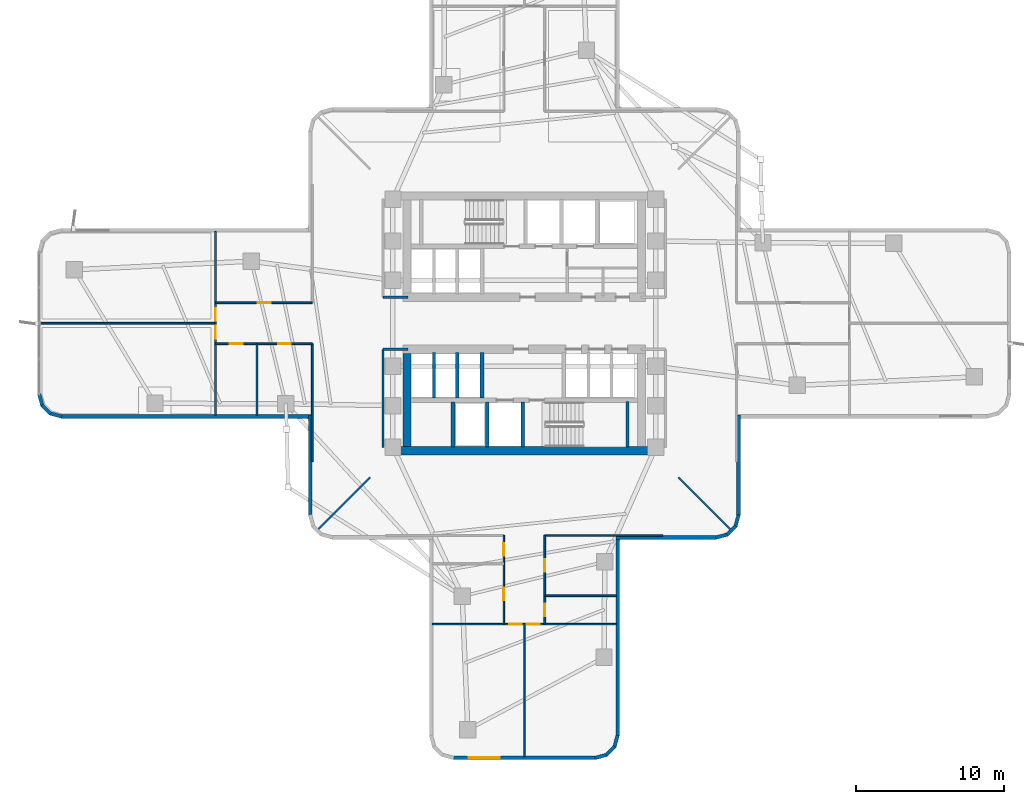
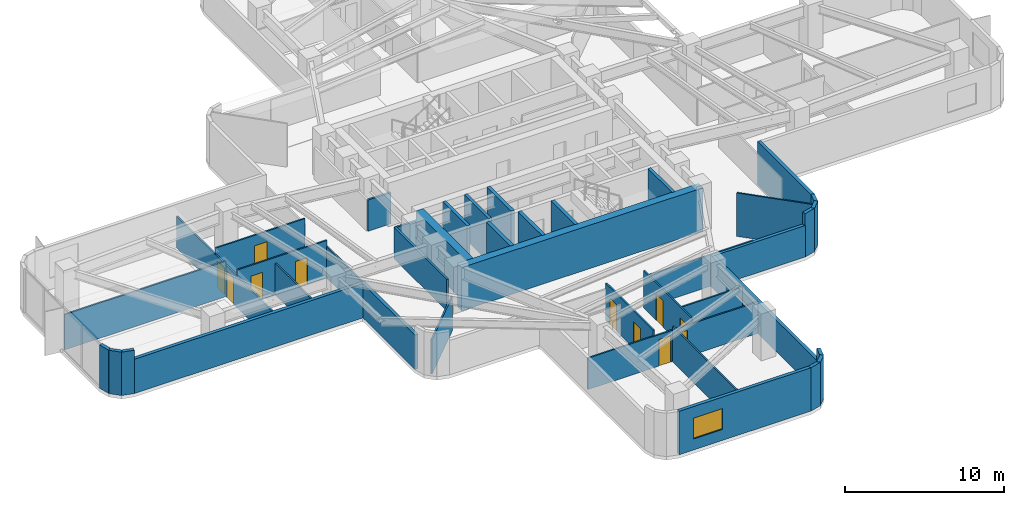
# One storey, part 8 of 14: 41 walls, 11 doors, 1 window, 12 openings.
"""IFC4 building model written with IfcOpenShell, lengths in metres."""

from ifc_helpers import new_model, si_unit, direction, frame, frame_2d, origin, place, context, subcontext, project, spatial, rectangle, extrude, material, layer, layer_set, type_object, element, fill, save


model = new_model("IFC4")

# Units and contexts
model_context = context("Model", 3, precision=1e-05, world=origin(), true_north=direction((0.0, 1.0)))
body_context = subcontext(model_context, "Body", "Model", "MODEL_VIEW")
ifc_project = project(units=[si_unit("LENGTHUNIT", "METRE"), si_unit("AREAUNIT", "SQUARE_METRE"), si_unit("VOLUMEUNIT", "CUBIC_METRE"), si_unit("PLANEANGLEUNIT", "RADIAN"), si_unit("MASSUNIT", "GRAM", prefix="KILO")], contexts=[model_context])

# Site, building, storey
site_placement = place(None, origin())
site = spatial("IfcSite", under=ifc_project, at=site_placement, CompositionType="ELEMENT")
building_placement = place(site_placement, origin())
building = spatial("IfcBuilding", under=site, at=building_placement, Name="Solmarez Civic Tower", CompositionType="ELEMENT")
storey_placement = place(building_placement, frame((0.0, 0.0, 31.679931640625)))
storey = spatial("IfcBuildingStorey", under=building, at=storey_placement, Name="L07", CompositionType="ELEMENT", Elevation=31.679931640625)

# Walls
ifc_material_1 = material(Name="Concrete C60/75", Category="concrete")
ifc_layer_1 = layer(ifc_material_1, 0.550048828125)
ifc_layer_set_1 = layer_set([ifc_layer_1], Name="Concrete C60/75")
wall_type_1 = type_object("IfcWallType", Name="WALL-CORE-550", PredefinedType="SHEAR", material=ifc_layer_set_1)
wall_1_placement = place(storey_placement, frame((8.780029296875, -8.5849609375, 0.0), z_axis=(0.0, 0.0, 1.0), x_axis=(-1.0, 0.0, 0.0)))
element("IfcWall", 1, at=wall_1_placement, inside=storey, type_object=wall_type_1, Name="L07 Split-Core Structural Wall SCW-S-L07", PredefinedType="SHEAR", context=body_context, shape_type="SweptSolid", body=[
    extrude(rectangle(XDim=17.56005859375, YDim=0.550048828125, at=frame_2d((8.780029296875, 0.0))), origin(), (0.0, 0.0, 1.0), 3.340087890625),
])
wall_2_placement = place(storey_placement, frame((-7.89501953125, -8.31005859375, 0.0), z_axis=(0.0, 0.0, 1.0), x_axis=(0.0, 1.0, 0.0)))
element("IfcWall", 2, at=wall_2_placement, inside=storey, type_object=wall_type_1, Name="L07 Split-Core Structural Wall SCW-W-L07", PredefinedType="SHEAR", context=body_context, shape_type="SweptSolid", body=[
    extrude(rectangle(XDim=6.28515625, YDim=0.550048828125, at=frame_2d((3.142578125, 0.0))), origin(), (0.0, 0.0, 1.0), 3.340087890625),
])
ifc_material_2 = material(Name="Precast concrete C40/50", Category="concrete")
ifc_layer_2 = layer(ifc_material_2, 0.239990234375)
ifc_layer_set_2 = layer_set([ifc_layer_2], Name="Precast concrete C40/50")
wall_type_2 = type_object("IfcWallType", Name="WALL-EXT-240", PredefinedType="SOLIDWALL", material=ifc_layer_set_2)
wall_3_placement = place(storey_placement, frame((-14.333984375, -6.280029296875, 0.0), z_axis=(0.0, 0.0, 1.0), x_axis=(-1.0, 0.0, 0.0)))
element("IfcWall", 3, at=wall_3_placement, inside=storey, type_object=wall_type_2, Name="L07 Exterior Precast Wall 2", PredefinedType="SOLIDWALL", context=body_context, shape_type="SweptSolid", body=[
    extrude(rectangle(XDim=16.875, YDim=0.239990234375, at=frame_2d((8.4375, 0.0))), origin(), (0.0, 0.0, 1.0), 2.64404296875),
])
wall_4_placement = place(storey_placement, frame((-31.159912109375, -6.285888671875, 0.0), z_axis=(0.0, 0.0, 1.0), x_axis=(-0.966234939601, 0.25766265056, 0.0)))
element("IfcWall", 4, at=wall_4_placement, inside=storey, type_object=wall_type_2, Name="L07 Exterior Precast Wall 3", PredefinedType="SOLIDWALL", context=body_context, shape_type="SweptSolid", body=[
    extrude(rectangle(XDim=0.830078125, YDim=0.239990234375, at=frame_2d((0.4150390625, 0.0))), origin(), (0.0, 0.0, 1.0), 3.340087890625),
])
wall_5_placement = place(storey_placement, frame((-31.919921875, -6.095947265625, 0.0), z_axis=(0.0, 0.0, 1.0), x_axis=(-0.707256607812, 0.706956922808, 0.0)))
element("IfcWall", 5, at=wall_5_placement, inside=storey, type_object=wall_type_2, Name="L07 Exterior Precast Wall 4", PredefinedType="SOLIDWALL", context=body_context, shape_type="SweptSolid", body=[
    extrude(rectangle(XDim=0.814697265625, YDim=0.239990234375, at=frame_2d((0.4072265625, 0.0))), origin(), (0.0, 0.0, 1.0), 3.340087890625),
])
wall_6_placement = place(storey_placement, frame((-32.471923828125, -5.56201171875, 0.0), z_axis=(0.0, 0.0, 1.0), x_axis=(-0.257937227116, 0.966161677396, 0.0)))
element("IfcWall", 6, at=wall_6_placement, inside=storey, type_object=wall_type_2, Name="L07 Exterior Precast Wall 5", PredefinedType="SOLIDWALL", context=body_context, shape_type="SweptSolid", body=[
    extrude(rectangle(XDim=0.830078125, YDim=0.239990234375, at=frame_2d((0.4150390625, 0.0))), origin(), (0.0, 0.0, 1.0), 3.340087890625),
])
wall_7_placement = place(storey_placement, frame((14.429931640625, -6.18408203125, 0.0), z_axis=(0.0, 0.0, 1.0), x_axis=(0.0, -1.0, 0.0)))
element("IfcWall", 7, at=wall_7_placement, inside=storey, type_object=wall_type_2, Name="L07 Exterior Precast Wall 49", PredefinedType="SOLIDWALL", context=body_context, shape_type="SweptSolid", body=[
    extrude(rectangle(XDim=6.77490234375, YDim=0.239990234375, at=frame_2d((3.387451171875, 0.0))), origin(), (0.0, 0.0, 1.0), 3.340087890625),
])
wall_8_placement = place(storey_placement, frame((14.43603515625, -12.909912109375, 0.0), z_axis=(0.0, 0.0, 1.0), x_axis=(-0.257937227116, -0.966161677396, 0.0)))
element("IfcWall", 8, at=wall_8_placement, inside=storey, type_object=wall_type_2, Name="L07 Exterior Precast Wall 50", PredefinedType="SOLIDWALL", context=body_context, shape_type="SweptSolid", body=[
    extrude(rectangle(XDim=0.830078125, YDim=0.239990234375, at=frame_2d((0.4150390625, 0.0))), origin(), (0.0, 0.0, 1.0), 3.340087890625),
])
wall_9_placement = place(storey_placement, frame((14.24609375, -13.669921875, 0.0), z_axis=(0.0, 0.0, 1.0), x_axis=(-0.707106781187, -0.707106781187, 0.0)))
element("IfcWall", 9, at=wall_9_placement, inside=storey, type_object=wall_type_2, Name="L07 Exterior Precast Wall 51", PredefinedType="SOLIDWALL", context=body_context, shape_type="SweptSolid", body=[
    extrude(rectangle(XDim=0.81494140625, YDim=0.239990234375, at=frame_2d((0.407470703125, 0.0))), origin(), (0.0, 0.0, 1.0), 3.340087890625),
])
wall_10_placement = place(storey_placement, frame((13.7119140625, -14.221923828125, 0.0), z_axis=(0.0, 0.0, 1.0), x_axis=(-0.966161677396, -0.257937227116, 0.0)))
element("IfcWall", 10, at=wall_10_placement, inside=storey, type_object=wall_type_2, Name="L07 Exterior Precast Wall 52", PredefinedType="SOLIDWALL", context=body_context, shape_type="SweptSolid", body=[
    extrude(rectangle(XDim=0.830078125, YDim=0.239990234375, at=frame_2d((0.4150390625, 0.0))), origin(), (0.0, 0.0, 1.0), 3.340087890625),
])
wall_11_placement = place(storey_placement, frame((12.958984375, -14.429931640625, 0.0), z_axis=(0.0, 0.0, 1.0), x_axis=(-1.0, 0.0, 0.0)))
element("IfcWall", 11, at=wall_11_placement, inside=storey, type_object=wall_type_2, Name="L07 Exterior Precast Wall 53", PredefinedType="SOLIDWALL", context=body_context, shape_type="SweptSolid", body=[
    extrude(rectangle(XDim=6.77490234375, YDim=0.239990234375, at=frame_2d((3.387451171875, 0.0))), origin(), (0.0, 0.0, 1.0), 2.421142578125),
])
wall_12_placement = place(storey_placement, frame((6.280029296875, -14.333984375, 0.0), z_axis=(0.0, 0.0, 1.0), x_axis=(0.0, -1.0, 0.0)))
element("IfcWall", 12, at=wall_12_placement, inside=storey, type_object=wall_type_2, Name="L07 Exterior Precast Wall 56", PredefinedType="SOLIDWALL", context=body_context, shape_type="SweptSolid", body=[
    extrude(rectangle(XDim=13.47509765625, YDim=0.239990234375, at=frame_2d((6.737548828125, 0.0))), origin(), (0.0, 0.0, 1.0), 2.421142578125),
])
wall_13_placement = place(storey_placement, frame((6.285888671875, -27.760009765625, 0.0), z_axis=(0.0, 0.0, 1.0), x_axis=(-0.25766265056, -0.966234939601, 0.0)))
element("IfcWall", 13, at=wall_13_placement, inside=storey, type_object=wall_type_2, Name="L07 Exterior Precast Wall 57", PredefinedType="SOLIDWALL", context=body_context, shape_type="SweptSolid", body=[
    extrude(rectangle(XDim=0.830078125, YDim=0.239990234375, at=frame_2d((0.4150390625, 0.0))), origin(), (0.0, 0.0, 1.0), 3.340087890625),
])
wall_14_placement = place(storey_placement, frame((6.095947265625, -28.52001953125, 0.0), z_axis=(0.0, 0.0, 1.0), x_axis=(-0.707106781187, -0.707106781187, 0.0)))
element("IfcWall", 14, at=wall_14_placement, inside=storey, type_object=wall_type_2, Name="L07 Exterior Precast Wall 58", PredefinedType="SOLIDWALL", context=body_context, shape_type="SweptSolid", body=[
    extrude(rectangle(XDim=0.814453125, YDim=0.239990234375, at=frame_2d((0.4072265625, 0.0))), origin(), (0.0, 0.0, 1.0), 3.340087890625),
])
wall_15_placement = place(storey_placement, frame((5.56201171875, -29.072021484375, 0.0), z_axis=(0.0, 0.0, 1.0), x_axis=(-0.966234939601, -0.25766265056, 0.0)))
element("IfcWall", 15, at=wall_15_placement, inside=storey, type_object=wall_type_2, Name="L07 Exterior Precast Wall 59", PredefinedType="SOLIDWALL", context=body_context, shape_type="SweptSolid", body=[
    extrude(rectangle(XDim=0.830078125, YDim=0.239990234375, at=frame_2d((0.4150390625, 0.0))), origin(), (0.0, 0.0, 1.0), 3.340087890625),
])

# Wall, opening, window
wall_16_placement = place(storey_placement, frame((4.80908203125, -29.280029296875, 0.0), z_axis=(0.0, 0.0, 1.0), x_axis=(-1.0, 0.0, 0.0)))
wall_16 = element("IfcWall", 16, at=wall_16_placement, inside=storey, type_object=wall_type_2, Name="L07 Exterior Precast Wall 60", PredefinedType="SOLIDWALL", context=body_context, shape_type="SweptSolid", body=[
    extrude(rectangle(XDim=9.6181640625, YDim=0.239990234375, at=frame_2d((4.80908203125, 0.0))), origin(), (0.0, 0.0, 1.0), 3.340087890625),
])
opening_1_placement = place(wall_16_placement, frame((6.451904296875, 0.0, 0.85009765625)))
opening_1 = element("IfcOpeningElement", 17, at=opening_1_placement, cuts=wall_16, Name="Opening W-11", PredefinedType="OPENING", context=body_context, shape_type="SweptSolid", body=[
    extrude(rectangle(XDim=2.10009765625, YDim=1.60009765625, at=frame_2d((1.050048828125, 0.800048828125))), frame((0.0, 0.1298828125, 0.0), z_axis=(0.0, -1.0, 0.0), x_axis=(1.0, 0.0, 0.0)), (0.0, 0.0, 1.0), 0.260009765625),
])
ifc_material_3 = material(Name="Solar Control Bronze-Tinted Insulating Glass", Category="glass")
window_type = type_object("IfcWindowType", Name="WIN-2100X1600", PartitioningType="SINGLE_PANEL", PredefinedType="WINDOW", material=ifc_material_3)
window_placement = place(opening_1_placement, origin())
window = element("IfcWindow", 18, at=window_placement, inside=storey, type_object=window_type, Name="L07 Exterior Facade Window 60", OverallHeight=1.60009765625, OverallWidth=2.10009765625, PartitioningType="SINGLE_PANEL", PredefinedType="WINDOW", context=body_context, shape_type="SweptSolid", body=[
    extrude(rectangle(XDim=2.10009765625, YDim=1.60009765625, at=frame_2d((1.050048828125, 0.800048828125))), frame((0.0, 0.030029296875, 0.0), z_axis=(0.0, -1.0, 0.0), x_axis=(1.0, 0.0, 0.0)), (0.0, 0.0, 1.0), 0.06005859375),
])
fill(opening_1, window)

# Walls
wall_17_placement = place(storey_placement, frame((-14.429931640625, -12.958984375, 0.0), z_axis=(0.0, 0.0, 1.0), x_axis=(0.0, 1.0, 0.0)))
element("IfcWall", 19, at=wall_17_placement, inside=storey, type_object=wall_type_2, Name="L07 Exterior Precast Wall 71", PredefinedType="SOLIDWALL", context=body_context, shape_type="SweptSolid", body=[
    extrude(rectangle(XDim=6.77490234375, YDim=0.239990234375, at=frame_2d((3.387451171875, 0.0))), origin(), (0.0, 0.0, 1.0), 2.64404296875),
])
ifc_material_4 = material(Name="Gypsum Board Acoustic Steel-Stud Partition", Category="steel")
ifc_layer_3 = layer(ifc_material_4, 0.14990234375)
ifc_layer_set_3 = layer_set([ifc_layer_3], Name="Gypsum Board Acoustic Steel-Stud Partition")
wall_type_3 = type_object("IfcWallType", Name="WALL-INT-FIRE-150", PredefinedType="PARTITIONING", material=ifc_layer_set_3)
wall_18_placement = place(storey_placement, frame((-7.85009765625, 1.75, 0.0), z_axis=(0.0, 0.0, 1.0), x_axis=(-1.0, 0.0, 0.0)))
element("IfcWall", 20, at=wall_18_placement, inside=storey, type_object=wall_type_3, Name="L07 Interior Partition CHW-L07-WN3", PredefinedType="PARTITIONING", context=body_context, shape_type="SweptSolid", body=[
    extrude(rectangle(XDim=1.669921875, YDim=0.14990234375, at=frame_2d((0.8349609375, 0.0))), origin(), (0.0, 0.0, 1.0), 2.405029296875),
])
wall_19_placement = place(storey_placement, frame((-9.52001953125, -8.3798828125, 0.0), z_axis=(0.0, 0.0, 1.0), x_axis=(0.0, 1.0, 0.0)))
element("IfcWall", 21, at=wall_19_placement, inside=storey, type_object=wall_type_3, Name="L07 Interior Partition CHW-L07-WS1", PredefinedType="PARTITIONING", context=body_context, shape_type="SweptSolid", body=[
    extrude(rectangle(XDim=6.6298828125, YDim=0.14990234375, at=frame_2d((3.31494140625, 0.0))), origin(), (0.0, 0.0, 1.0), 2.421142578125),
])
wall_20_placement = place(storey_placement, frame((-7.85009765625, -1.75, 0.0), z_axis=(0.0, 0.0, 1.0), x_axis=(-1.0, 0.0, 0.0)))
element("IfcWall", 22, at=wall_20_placement, inside=storey, type_object=wall_type_3, Name="L07 Interior Partition CHW-L07-WS3", PredefinedType="PARTITIONING", context=body_context, shape_type="SweptSolid", body=[
    extrude(rectangle(XDim=1.669921875, YDim=0.14990234375, at=frame_2d((0.8349609375, 0.0))), origin(), (0.0, 0.0, 1.0), 2.405029296875),
])
ifc_layer_4 = layer(ifc_material_4, 0.110107421875)
ifc_layer_set_4 = layer_set([ifc_layer_4], Name="Gypsum Board Acoustic Steel-Stud Partition")
wall_type_4 = type_object("IfcWallType", Name="WALL-INT-PART-110", PredefinedType="PARTITIONING", material=ifc_layer_set_4)
wall_21_placement = place(storey_placement, frame((-10.3798828125, -10.3798828125, 0.0), z_axis=(0.0, 0.0, 1.0), x_axis=(-0.707106781187, -0.707106781187, 0.0)))
element("IfcWall", 23, at=wall_21_placement, inside=storey, type_object=wall_type_4, Name="L07 Interior Partition PT-L07-QDIV-3", PredefinedType="PARTITIONING", context=body_context, shape_type="SweptSolid", body=[
    extrude(rectangle(XDim=4.975341796875, YDim=0.110107421875, at=frame_2d((2.48779296875, 0.0))), origin(), (0.0, 0.0, 1.0), 2.64404296875),
])
wall_22_placement = place(storey_placement, frame((10.3798828125, -10.3798828125, 0.0), z_axis=(0.0, 0.0, 1.0), x_axis=(0.707106781187, -0.707106781187, 0.0)))
element("IfcWall", 24, at=wall_22_placement, inside=storey, type_object=wall_type_4, Name="L07 Interior Partition PT-L07-QDIV-4", PredefinedType="PARTITIONING", context=body_context, shape_type="SweptSolid", body=[
    extrude(rectangle(XDim=4.975341796875, YDim=0.110107421875, at=frame_2d((2.48779296875, 0.0))), origin(), (0.0, 0.0, 1.0), 3.340087890625),
])
wall_23_placement = place(storey_placement, frame((-14.2900390625, -1.3701171875, 0.0), z_axis=(0.0, 0.0, 1.0), x_axis=(0.0, -1.0, 0.0)))
element("IfcWall", 25, at=wall_23_placement, inside=storey, type_object=wall_type_4, Name="L07 Interior Partition PT-L07-W-EFL", PredefinedType="PARTITIONING", context=body_context, shape_type="SweptSolid", body=[
    extrude(rectangle(XDim=7.949951171875, YDim=0.110107421875, at=frame_2d((3.97509765625, 0.0))), origin(), (0.0, 0.0, 1.0), 2.421142578125),
])
wall_24_placement = place(storey_placement, frame((-18.010009765625, -1.39990234375, 0.0), z_axis=(0.0, 0.0, 1.0), x_axis=(0.0, -1.0, 0.0)))
element("IfcWall", 26, at=wall_24_placement, inside=storey, type_object=wall_type_4, Name="L07 Interior Partition PT-L07-W-LM", PredefinedType="PARTITIONING", context=body_context, shape_type="SweptSolid", body=[
    extrude(rectangle(XDim=4.795166015625, YDim=0.110107421875, at=frame_2d((2.3974609375, 0.0))), origin(), (0.0, 0.0, 1.0), 2.421142578125),
])

# Wall, openings, doors
wall_25_placement = place(storey_placement, frame((-20.81005859375, -1.3798828125, 0.0), z_axis=(0.0, 0.0, 1.0), x_axis=(1.0, 0.0, 0.0)))
wall_25 = element("IfcWall", 27, at=wall_25_placement, inside=storey, type_object=wall_type_4, Name="L07 Interior Partition PT-L07-W-SL", PredefinedType="PARTITIONING", context=body_context, shape_type="SweptSolid", body=[
    extrude(rectangle(XDim=6.52001953125, YDim=0.110107421875, at=frame_2d((3.260009765625, 0.0))), origin(), (0.0, 0.0, 1.0), 2.869140625),
])
opening_2_placement = place(wall_25_placement, frame((4.22998046875, 0.0, 0.0)))
opening_2 = element("IfcOpeningElement", 28, at=opening_2_placement, cuts=wall_25, Name="Opening D-14", PredefinedType="OPENING", context=body_context, shape_type="SweptSolid", body=[
    extrude(rectangle(XDim=0.860107421875, YDim=2.0400390625, at=frame_2d((0.43017578125, 1.02001953125))), frame((0.0, 0.06494140625, 0.0), z_axis=(0.0, -1.0, 0.0), x_axis=(1.0, 0.0, 0.0)), (0.0, 0.0, 1.0), 0.130126953125),
])
opening_3_placement = place(wall_25_placement, frame((0.969970703125, 0.0, 0.0)))
opening_3 = element("IfcOpeningElement", 29, at=opening_3_placement, cuts=wall_25, Name="Opening D-14", PredefinedType="OPENING", context=body_context, shape_type="SweptSolid", body=[
    extrude(rectangle(XDim=0.860107421875, YDim=2.0400390625, at=frame_2d((0.43017578125, 1.02001953125))), frame((0.0, 0.06494140625, 0.0), z_axis=(0.0, -1.0, 0.0), x_axis=(1.0, 0.0, 0.0)), (0.0, 0.0, 1.0), 0.130126953125),
])
ifc_material_5 = material(Name="Timber Storage and Pantry Door", Category="wood")
door_type_1 = type_object("IfcDoorType", Name="DOOR-INT-850", OperationType="NOTDEFINED", PredefinedType="DOOR", material=ifc_material_5)
door_1_placement = place(opening_2_placement, origin())
door_1 = element("IfcDoor", 30, at=door_1_placement, inside=storey, type_object=door_type_1, Name="L07 Policy Boardroom First West Door", OperationType="SINGLE_SWING_LEFT", OverallHeight=2.0400390625, OverallWidth=0.860107421875, PredefinedType="DOOR", context=body_context, shape_type="SweptSolid", body=[
    extrude(rectangle(XDim=0.860107421875, YDim=2.0400390625, at=frame_2d((0.43017578125, 1.02001953125))), frame((0.0, 0.02490234375, 0.0), z_axis=(0.0, -1.0, 0.0), x_axis=(1.0, 0.0, 0.0)), (0.0, 0.0, 1.0), 0.050048828125),
])
fill(opening_2, door_1)
door_2_placement = place(opening_3_placement, origin())
door_2 = element("IfcDoor", 31, at=door_2_placement, inside=storey, type_object=door_type_1, Name="L07 Staff Pantry Second West Door", OperationType="SINGLE_SWING_RIGHT", OverallHeight=2.0400390625, OverallWidth=0.860107421875, PredefinedType="DOOR", context=body_context, shape_type="SweptSolid", body=[
    extrude(rectangle(XDim=0.860107421875, YDim=2.0400390625, at=frame_2d((0.43017578125, 1.02001953125))), frame((0.0, 0.02490234375, 0.0), z_axis=(0.0, -1.0, 0.0), x_axis=(1.0, 0.0, 0.0)), (0.0, 0.0, 1.0), 0.050048828125),
])
fill(opening_3, door_2)

# Wall, opening, door
wall_26_placement = place(storey_placement, frame((-14.2900390625, 1.3798828125, 0.0), z_axis=(0.0, 0.0, 1.0), x_axis=(-1.0, 0.0, 0.0)))
wall_26 = element("IfcWall", 32, at=wall_26_placement, inside=storey, type_object=wall_type_4, Name="L07 Interior Partition PT-L07-W-SR", PredefinedType="PARTITIONING", context=body_context, shape_type="SweptSolid", body=[
    extrude(rectangle(XDim=6.52001953125, YDim=0.110107421875, at=frame_2d((3.260009765625, 0.0))), origin(), (0.0, 0.0, 1.0), 2.869140625),
])
opening_4_placement = place(wall_26_placement, frame((2.780029296875, 0.0, 0.0)))
opening_4 = element("IfcOpeningElement", 33, at=opening_4_placement, cuts=wall_26, Name="Opening D-08", PredefinedType="OPENING", context=body_context, shape_type="SweptSolid", body=[
    extrude(rectangle(XDim=0.89990234375, YDim=2.06005859375, at=frame_2d((0.449951171875, 1.030029296875))), frame((0.0, 0.06494140625, 0.0), z_axis=(0.0, -1.0, 0.0), x_axis=(1.0, 0.0, 0.0)), (0.0, 0.0, 1.0), 0.130126953125),
])
ifc_material_6 = material(Name="Solid-Core Timber Office Door", Category="wood")
door_type_2 = type_object("IfcDoorType", Name="DOOR-INT-900", OperationType="NOTDEFINED", PredefinedType="DOOR", material=ifc_material_6)
door_3_placement = place(opening_4_placement, origin())
door_3 = element("IfcDoor", 34, at=door_3_placement, inside=storey, type_object=door_type_2, Name="L07 Ministry Open Workspace Third West Door", OperationType="SINGLE_SWING_RIGHT", OverallHeight=2.06005859375, OverallWidth=0.89990234375, PredefinedType="DOOR", context=body_context, shape_type="SweptSolid", body=[
    extrude(rectangle(XDim=0.89990234375, YDim=2.06005859375, at=frame_2d((0.449951171875, 1.030029296875))), frame((0.0, 0.02490234375, 0.0), z_axis=(0.0, -1.0, 0.0), x_axis=(1.0, 0.0, 0.0)), (0.0, 0.0, 1.0), 0.050048828125),
])
fill(opening_4, door_3)

# Wall
wall_27_placement = place(storey_placement, frame((-20.8701171875, 0.0, 0.0), z_axis=(0.0, 0.0, 1.0), x_axis=(-1.0, 0.0, 0.0)))
element("IfcWall", 35, at=wall_27_placement, inside=storey, type_object=wall_type_4, Name="L07 Interior Partition PT-L07-W-TM", PredefinedType="PARTITIONING", context=body_context, shape_type="SweptSolid", body=[
    extrude(rectangle(XDim=11.724853515625, YDim=0.110107421875, at=frame_2d((5.8623046875, 0.0))), origin(), (0.0, 0.0, 1.0), 2.719970703125),
])

# Wall, openings, doors
wall_28_placement = place(storey_placement, frame((-20.81005859375, -6.195068359375, 0.0), z_axis=(0.0, 0.0, 1.0), x_axis=(0.0, 1.0, 0.0)))
wall_28 = element("IfcWall", 36, at=wall_28_placement, inside=storey, type_object=wall_type_4, Name="L07 Interior Partition PT-L07-W-END", PredefinedType="PARTITIONING", context=body_context, shape_type="SweptSolid", body=[
    extrude(rectangle(XDim=12.39013671875, YDim=0.110107421875, at=frame_2d((6.195068359375, 0.0))), origin(), (0.0, 0.0, 1.0), 2.421142578125),
])
opening_5_placement = place(wall_28_placement, frame((6.364990234375, 0.0, 0.0)))
opening_5 = element("IfcOpeningElement", 37, at=opening_5_placement, cuts=wall_28, Name="Opening D-14", PredefinedType="OPENING", context=body_context, shape_type="SweptSolid", body=[
    extrude(rectangle(XDim=0.860107421875, YDim=2.0400390625, at=frame_2d((0.43017578125, 1.02001953125))), frame((0.0, 0.06494140625, 0.0), z_axis=(0.0, -1.0, 0.0), x_axis=(1.0, 0.0, 0.0)), (0.0, 0.0, 1.0), 0.130126953125),
])
opening_6_placement = place(wall_28_placement, frame((5.1650390625, 0.0, 0.0)))
opening_6 = element("IfcOpeningElement", 38, at=opening_6_placement, cuts=wall_28, Name="Opening D-14", PredefinedType="OPENING", context=body_context, shape_type="SweptSolid", body=[
    extrude(rectangle(XDim=0.860107421875, YDim=2.0400390625, at=frame_2d((0.43017578125, 1.02001953125))), frame((0.0, 0.06494140625, 0.0), z_axis=(0.0, -1.0, 0.0), x_axis=(1.0, 0.0, 0.0)), (0.0, 0.0, 1.0), 0.130126953125),
])
door_4_placement = place(opening_5_placement, origin())
door_4 = element("IfcDoor", 39, at=door_4_placement, inside=storey, type_object=door_type_1, Name="L07 Directorate Office Sixth West Door", OperationType="SINGLE_SWING_RIGHT", OverallHeight=2.0400390625, OverallWidth=0.860107421875, PredefinedType="DOOR", context=body_context, shape_type="SweptSolid", body=[
    extrude(rectangle(XDim=0.860107421875, YDim=2.0400390625, at=frame_2d((0.43017578125, 1.02001953125))), frame((0.0, 0.02490234375, 0.0), z_axis=(0.0, -1.0, 0.0), x_axis=(1.0, 0.0, 0.0)), (0.0, 0.0, 1.0), 0.050048828125),
])
fill(opening_5, door_4)
door_5_placement = place(opening_6_placement, origin())
door_5 = element("IfcDoor", 40, at=door_5_placement, inside=storey, type_object=door_type_1, Name="L07 Ministry Open Workspace Fifth West Door", OperationType="SINGLE_SWING_LEFT", OverallHeight=2.0400390625, OverallWidth=0.860107421875, PredefinedType="DOOR", context=body_context, shape_type="SweptSolid", body=[
    extrude(rectangle(XDim=0.860107421875, YDim=2.0400390625, at=frame_2d((0.43017578125, 1.02001953125))), frame((0.0, 0.02490234375, 0.0), z_axis=(0.0, -1.0, 0.0), x_axis=(1.0, 0.0, 0.0)), (0.0, 0.0, 1.0), 0.050048828125),
])
fill(opening_6, door_5)

# Walls
wall_29_placement = place(storey_placement, frame((1.3701171875, -14.2900390625, 0.0), z_axis=(0.0, 0.0, 1.0), x_axis=(1.0, 0.0, 0.0)))
element("IfcWall", 41, at=wall_29_placement, inside=storey, type_object=wall_type_4, Name="L07 Interior Partition PT-L07-S-EFL", PredefinedType="PARTITIONING", context=body_context, shape_type="SweptSolid", body=[
    extrude(rectangle(XDim=7.949951171875, YDim=0.110107421875, at=frame_2d((3.97509765625, 0.0))), origin(), (0.0, 0.0, 1.0), 2.421142578125),
])
wall_30_placement = place(storey_placement, frame((1.39990234375, -18.360107421875, 0.0), z_axis=(0.0, 0.0, 1.0), x_axis=(1.0, 0.0, 0.0)))
element("IfcWall", 42, at=wall_30_placement, inside=storey, type_object=wall_type_4, Name="L07 Interior Partition PT-L07-S-LM", PredefinedType="PARTITIONING", context=body_context, shape_type="SweptSolid", body=[
    extrude(rectangle(XDim=4.795166015625, YDim=0.110107421875, at=frame_2d((2.3974609375, 0.0))), origin(), (0.0, 0.0, 1.0), 2.421142578125),
])

# Wall, openings, doors
wall_31_placement = place(storey_placement, frame((1.3798828125, -20.27001953125, 0.0), z_axis=(0.0, 0.0, 1.0), x_axis=(0.0, 1.0, 0.0)))
wall_31 = element("IfcWall", 43, at=wall_31_placement, inside=storey, type_object=wall_type_4, Name="L07 Interior Partition PT-L07-S-SL", PredefinedType="PARTITIONING", context=body_context, shape_type="SweptSolid", body=[
    extrude(rectangle(XDim=5.97998046875, YDim=0.110107421875, at=frame_2d((2.989990234375, 0.0))), origin(), (0.0, 0.0, 1.0), 2.869140625),
])
opening_7_placement = place(wall_31_placement, frame((3.514892578125, 0.0, 0.0)))
opening_7 = element("IfcOpeningElement", 44, at=opening_7_placement, cuts=wall_31, Name="Opening D-14", PredefinedType="OPENING", context=body_context, shape_type="SweptSolid", body=[
    extrude(rectangle(XDim=0.860107421875, YDim=2.0400390625, at=frame_2d((0.43017578125, 1.02001953125))), frame((0.0, 0.06494140625, 0.0), z_axis=(0.0, -1.0, 0.0), x_axis=(1.0, 0.0, 0.0)), (0.0, 0.0, 1.0), 0.130126953125),
])
opening_8_placement = place(wall_31_placement, frame((0.52490234375, 0.0, 0.0)))
opening_8 = element("IfcOpeningElement", 45, at=opening_8_placement, cuts=wall_31, Name="Opening D-14", PredefinedType="OPENING", context=body_context, shape_type="SweptSolid", body=[
    extrude(rectangle(XDim=0.860107421875, YDim=2.0400390625, at=frame_2d((0.43017578125, 1.02001953125))), frame((0.0, 0.06494140625, 0.0), z_axis=(0.0, -1.0, 0.0), x_axis=(1.0, 0.0, 0.0)), (0.0, 0.0, 1.0), 0.130126953125),
])
door_6_placement = place(opening_7_placement, origin())
door_6 = element("IfcDoor", 46, at=door_6_placement, inside=storey, type_object=door_type_1, Name="L07 Staff Pantry First South Door", OperationType="SINGLE_SWING_LEFT", OverallHeight=2.0400390625, OverallWidth=0.860107421875, PredefinedType="DOOR", context=body_context, shape_type="SweptSolid", body=[
    extrude(rectangle(XDim=0.860107421875, YDim=2.0400390625, at=frame_2d((0.43017578125, 1.02001953125))), frame((0.0, 0.02490234375, 0.0), z_axis=(0.0, -1.0, 0.0), x_axis=(1.0, 0.0, 0.0)), (0.0, 0.0, 1.0), 0.050048828125),
])
fill(opening_7, door_6)
door_7_placement = place(opening_8_placement, origin())
door_7 = element("IfcDoor", 47, at=door_7_placement, inside=storey, type_object=door_type_1, Name="L07 Ministry Open Workspace Second South Door", OperationType="SINGLE_SWING_RIGHT", OverallHeight=2.0400390625, OverallWidth=0.860107421875, PredefinedType="DOOR", context=body_context, shape_type="SweptSolid", body=[
    extrude(rectangle(XDim=0.860107421875, YDim=2.0400390625, at=frame_2d((0.43017578125, 1.02001953125))), frame((0.0, 0.02490234375, 0.0), z_axis=(0.0, -1.0, 0.0), x_axis=(1.0, 0.0, 0.0)), (0.0, 0.0, 1.0), 0.050048828125),
])
fill(opening_8, door_7)

wall_32_placement = place(storey_placement, frame((-1.3798828125, -14.2900390625, 0.0), z_axis=(0.0, 0.0, 1.0), x_axis=(0.0, -1.0, 0.0)))
wall_32 = element("IfcWall", 48, at=wall_32_placement, inside=storey, type_object=wall_type_4, Name="L07 Interior Partition PT-L07-S-SR", PredefinedType="PARTITIONING", context=body_context, shape_type="SweptSolid", body=[
    extrude(rectangle(XDim=5.97998046875, YDim=0.110107421875, at=frame_2d((2.989990234375, 0.0))), origin(), (0.0, 0.0, 1.0), 2.869140625),
])
opening_9_placement = place(wall_32_placement, frame((0.52490234375, 0.0, 0.0)))
opening_9 = element("IfcOpeningElement", 49, at=opening_9_placement, cuts=wall_32, Name="Opening D-14", PredefinedType="OPENING", context=body_context, shape_type="SweptSolid", body=[
    extrude(rectangle(XDim=0.860107421875, YDim=2.0400390625, at=frame_2d((0.43017578125, 1.02001953125))), frame((0.0, 0.06494140625, 0.0), z_axis=(0.0, -1.0, 0.0), x_axis=(1.0, 0.0, 0.0)), (0.0, 0.0, 1.0), 0.130126953125),
])
opening_10_placement = place(wall_32_placement, frame((3.514892578125, 0.0, 0.0)))
opening_10 = element("IfcOpeningElement", 50, at=opening_10_placement, cuts=wall_32, Name="Opening D-14", PredefinedType="OPENING", context=body_context, shape_type="SweptSolid", body=[
    extrude(rectangle(XDim=0.860107421875, YDim=2.0400390625, at=frame_2d((0.43017578125, 1.02001953125))), frame((0.0, 0.06494140625, 0.0), z_axis=(0.0, -1.0, 0.0), x_axis=(1.0, 0.0, 0.0)), (0.0, 0.0, 1.0), 0.130126953125),
])
door_8_placement = place(opening_9_placement, origin())
door_8 = element("IfcDoor", 51, at=door_8_placement, inside=storey, type_object=door_type_1, Name="L07 Directorate Office Third South Door", OperationType="SINGLE_SWING_RIGHT", OverallHeight=2.0400390625, OverallWidth=0.860107421875, PredefinedType="DOOR", context=body_context, shape_type="SweptSolid", body=[
    extrude(rectangle(XDim=0.860107421875, YDim=2.0400390625, at=frame_2d((0.43017578125, 1.02001953125))), frame((0.0, 0.02490234375, 0.0), z_axis=(0.0, -1.0, 0.0), x_axis=(1.0, 0.0, 0.0)), (0.0, 0.0, 1.0), 0.050048828125),
])
fill(opening_9, door_8)
door_9_placement = place(opening_10_placement, origin())
door_9 = element("IfcDoor", 52, at=door_9_placement, inside=storey, type_object=door_type_1, Name="L07 Policy Boardroom Fourth South Door", OperationType="SINGLE_SWING_LEFT", OverallHeight=2.0400390625, OverallWidth=0.860107421875, PredefinedType="DOOR", context=body_context, shape_type="SweptSolid", body=[
    extrude(rectangle(XDim=0.860107421875, YDim=2.0400390625, at=frame_2d((0.43017578125, 1.02001953125))), frame((0.0, 0.02490234375, 0.0), z_axis=(0.0, -1.0, 0.0), x_axis=(1.0, 0.0, 0.0)), (0.0, 0.0, 1.0), 0.050048828125),
])
fill(opening_10, door_9)

# Wall
wall_33_placement = place(storey_placement, frame((0.0, -20.330078125, 0.0), z_axis=(0.0, 0.0, 1.0), x_axis=(0.0, -1.0, 0.0)))
element("IfcWall", 53, at=wall_33_placement, inside=storey, type_object=wall_type_4, Name="L07 Interior Partition PT-L07-S-TM", PredefinedType="PARTITIONING", context=body_context, shape_type="SweptSolid", body=[
    extrude(rectangle(XDim=8.864990234375, YDim=0.110107421875, at=frame_2d((4.4326171875, 0.0))), origin(), (0.0, 0.0, 1.0), 2.719970703125),
])

# Wall, openings, doors
wall_34_placement = place(storey_placement, frame((6.195068359375, -20.27001953125, 0.0), z_axis=(0.0, 0.0, 1.0), x_axis=(-1.0, 0.0, 0.0)))
wall_34 = element("IfcWall", 54, at=wall_34_placement, inside=storey, type_object=wall_type_4, Name="L07 Interior Partition PT-L07-S-END", PredefinedType="PARTITIONING", context=body_context, shape_type="SweptSolid", body=[
    extrude(rectangle(XDim=12.39013671875, YDim=0.110107421875, at=frame_2d((6.195068359375, 0.0))), origin(), (0.0, 0.0, 1.0), 2.421142578125),
])
opening_11_placement = place(wall_34_placement, frame((6.364990234375, 0.0, 0.0)))
opening_11 = element("IfcOpeningElement", 55, at=opening_11_placement, cuts=wall_34, Name="Opening D-14", PredefinedType="OPENING", context=body_context, shape_type="SweptSolid", body=[
    extrude(rectangle(XDim=0.860107421875, YDim=2.0400390625, at=frame_2d((0.43017578125, 1.02001953125))), frame((0.0, 0.06494140625, 0.0), z_axis=(0.0, -1.0, 0.0), x_axis=(1.0, 0.0, 0.0)), (0.0, 0.0, 1.0), 0.130126953125),
])
opening_12_placement = place(wall_34_placement, frame((5.1650390625, 0.0, 0.0)))
opening_12 = element("IfcOpeningElement", 56, at=opening_12_placement, cuts=wall_34, Name="Opening D-14", PredefinedType="OPENING", context=body_context, shape_type="SweptSolid", body=[
    extrude(rectangle(XDim=0.860107421875, YDim=2.0400390625, at=frame_2d((0.43017578125, 1.02001953125))), frame((0.0, 0.06494140625, 0.0), z_axis=(0.0, -1.0, 0.0), x_axis=(1.0, 0.0, 0.0)), (0.0, 0.0, 1.0), 0.130126953125),
])
door_10_placement = place(opening_11_placement, origin())
door_10 = element("IfcDoor", 57, at=door_10_placement, inside=storey, type_object=door_type_1, Name="L07 Policy Boardroom Sixth South Door", OperationType="SINGLE_SWING_RIGHT", OverallHeight=2.0400390625, OverallWidth=0.860107421875, PredefinedType="DOOR", context=body_context, shape_type="SweptSolid", body=[
    extrude(rectangle(XDim=0.860107421875, YDim=2.0400390625, at=frame_2d((0.43017578125, 1.02001953125))), frame((0.0, 0.02490234375, 0.0), z_axis=(0.0, -1.0, 0.0), x_axis=(1.0, 0.0, 0.0)), (0.0, 0.0, 1.0), 0.050048828125),
])
fill(opening_11, door_10)
door_11_placement = place(opening_12_placement, origin())
door_11 = element("IfcDoor", 58, at=door_11_placement, inside=storey, type_object=door_type_1, Name="L07 Directorate Office Fifth South Door", OperationType="SINGLE_SWING_LEFT", OverallHeight=2.0400390625, OverallWidth=0.860107421875, PredefinedType="DOOR", context=body_context, shape_type="SweptSolid", body=[
    extrude(rectangle(XDim=0.860107421875, YDim=2.0400390625, at=frame_2d((0.43017578125, 1.02001953125))), frame((0.0, 0.02490234375, 0.0), z_axis=(0.0, -1.0, 0.0), x_axis=(1.0, 0.0, 0.0)), (0.0, 0.0, 1.0), 0.050048828125),
])
fill(opening_12, door_11)

# Walls
ifc_material_7 = material(Name="Concrete C50/60", Category="concrete")
ifc_layer_5 = layer(ifc_material_7, 0.300048828125)
ifc_layer_set_5 = layer_set([ifc_layer_5], Name="Concrete C50/60")
wall_type_5 = type_object("IfcWallType", Name="WALL-STR-300", PredefinedType="SOLIDWALL", material=ifc_layer_set_5)
wall_35_placement = place(storey_placement, frame((6.949951171875, -8.340087890625, 0.0), z_axis=(0.0, 0.0, 1.0), x_axis=(0.0, 1.0, 0.0)))
element("IfcWall", 59, at=wall_35_placement, inside=storey, type_object=wall_type_5, Name="L07 Split-Core Structural Wall SHW-SE-L07", PredefinedType="SOLIDWALL", context=body_context, shape_type="SweptSolid", body=[
    extrude(rectangle(XDim=3.06005859375, YDim=0.219970703125, at=frame_2d((1.530029296875, 0.0))), origin(), (0.0, 0.0, 1.0), 3.340087890625),
])
for number, where, z_axis, x_axis, name in (
    (60, (-0.10009765625, -8.340087890625, 0.0), (0.0, 0.0, 1.0), (0.0, 1.0, 0.0), "L07 Split-Core Structural Wall SHW-S1-L07"),
    (61, (-2.5, -8.340087890625, 0.0), (0.0, 0.0, 1.0), (0.0, 1.0, 0.0), "L07 Split-Core Structural Wall SHW-S2-L07"),
    (62, (-4.800048828125, -8.340087890625, 0.0), (0.0, 0.0, 1.0), (0.0, 1.0, 0.0), "L07 Split-Core Structural Wall SHW-S3-L07"),
):
    element("IfcWall", number, at=place(storey_placement, frame(where, z_axis=z_axis, x_axis=x_axis)), inside=storey, type_object=wall_type_5, Name=name, PredefinedType="SOLIDWALL", context=body_context, shape_type="SweptSolid", body=[
        extrude(rectangle(XDim=3.0400390625, YDim=0.25, at=frame_2d((1.52001953125, 0.0))), origin(), (0.0, 0.0, 1.0), 3.340087890625),
    ])
wall_36_placement = place(storey_placement, frame((-2.85009765625, -5.050048828125, 0.0), z_axis=(0.0, 0.0, 1.0), x_axis=(0.0, 1.0, 0.0)))
element("IfcWall", 63, at=wall_36_placement, inside=storey, type_object=wall_type_5, Name="L07 Split-Core Structural Wall SHW-SL1-L07", PredefinedType="SOLIDWALL", context=body_context, shape_type="SweptSolid", body=[
    extrude(rectangle(XDim=3.070068359375, YDim=0.25, at=frame_2d((1.53515625, 0.0))), origin(), (0.0, 0.0, 1.0), 3.340087890625),
])
for number, where, z_axis, x_axis, name in (
    (64, (-6.080078125, -5.050048828125, 0.0), (0.0, 0.0, 1.0), (0.0, 1.0, 0.0), "L07 Split-Core Structural Wall SHW-PLM-L07-1"),
    (65, (-4.52001953125, -5.050048828125, 0.0), (0.0, 0.0, 1.0), (0.0, 1.0, 0.0), "L07 Split-Core Structural Wall SHW-PLM-L07-2"),
):
    element("IfcWall", number, at=place(storey_placement, frame(where, z_axis=z_axis, x_axis=x_axis)), inside=storey, type_object=wall_type_5, Name=name, PredefinedType="SOLIDWALL", context=body_context, shape_type="SweptSolid", body=[
        extrude(rectangle(XDim=3.070068359375, YDim=0.219970703125, at=frame_2d((1.53515625, 0.0))), origin(), (0.0, 0.0, 1.0), 3.340087890625),
    ])

save(model, "model.ifc")
